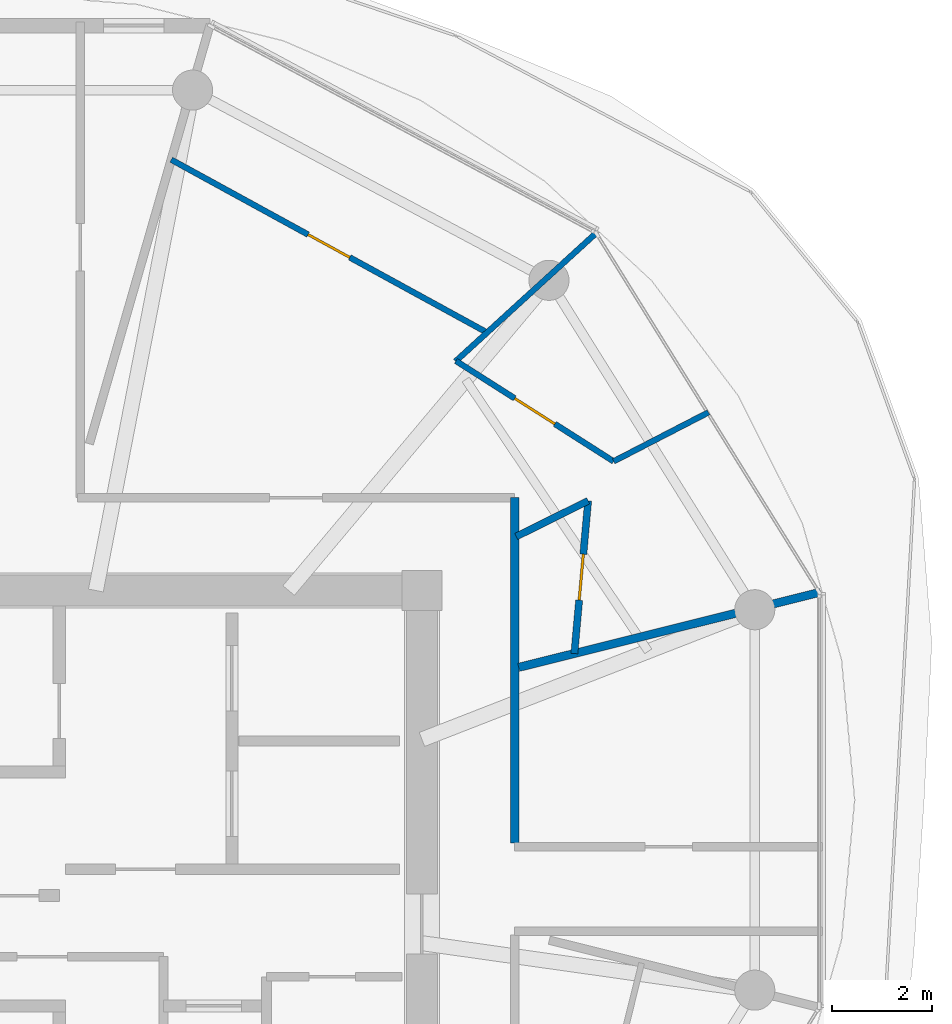
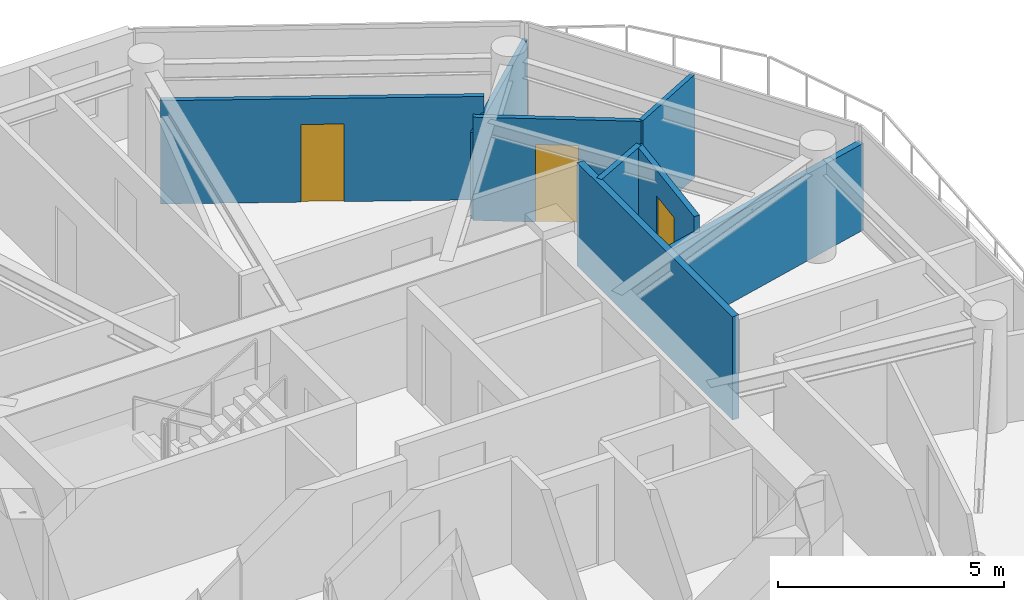
# One storey, part 17 of 22: 8 walls, 3 doors, 3 openings.
"""IFC4 building model written with IfcOpenShell, lengths in metres."""

from ifc_helpers import new_model, si_unit, direction, frame, frame_2d, origin, place, context, subcontext, project, spatial, rectangle, extrude, source, transform, mapped, material, layer, layer_set, type_object, type_shapes, element, fill, save


model = new_model("IFC4")

# Units and contexts
model_context = context("Model", 3, precision=1e-05, world=origin(), true_north=direction((0.0, 1.0)))
body_context = subcontext(model_context, "Body", "Model", "MODEL_VIEW")
ifc_project = project(units=[si_unit("LENGTHUNIT", "METRE"), si_unit("AREAUNIT", "SQUARE_METRE"), si_unit("VOLUMEUNIT", "CUBIC_METRE"), si_unit("PLANEANGLEUNIT", "RADIAN"), si_unit("MASSUNIT", "GRAM", prefix="KILO")], contexts=[model_context])

# Site, building, storey
site_placement = place(None, origin())
site = spatial("IfcSite", under=ifc_project, at=site_placement, CompositionType="ELEMENT")
building_placement = place(site_placement, origin())
building = spatial("IfcBuilding", under=site, at=building_placement, Name="Norrkilde Senior Care Towers", CompositionType="ELEMENT")
storey_placement = place(building_placement, frame((0.0, 0.0, 170.89990234375)))
storey = spatial("IfcBuildingStorey", under=building, at=storey_placement, Name="L53", CompositionType="ELEMENT", Elevation=170.89990234375)

# Wall, opening, door
ifc_material_1 = material(Name="Gypsum Acoustic Board")
ifc_layer_1 = layer(ifc_material_1, 0.114990234375)
ifc_layer_set_1 = layer_set([ifc_layer_1], Name="Gypsum Acoustic Board")
wall_type_1 = type_object("IfcWallType", Name="Internal Room Partition 115", PredefinedType="PARTITIONING", material=ifc_layer_set_1)
shared_shape_1 = source(origin(), body_context, "Body", "SweptSolid", [
    extrude(rectangle(XDim=7.166748046875, YDim=0.114990234375, at=frame_2d((3.58349609375, 0.0))), origin(), (0.0, 0.0, 1.0), 2.795166015625),
])
wall_1_placement = place(storey_placement, frame((36.93896484375, 11.097900390625, 0.0), z_axis=(0.0, 0.0, 1.0), x_axis=(-0.8771628907, 0.480192943699, 0.0)))
wall_1 = element("IfcWall", 1, at=wall_1_placement, inside=storey, type_object=wall_type_1, Name="WL-INT-L53-E-UBC-00-1", PredefinedType="PARTITIONING", context=body_context, shape_type="MappedRepresentation", body=[
    mapped(shared_shape_1, transform((0.0, 0.0, 0.0), x_axis=(1.0, 0.0, 0.0), y_axis=(0.0, 1.0, 0.0), z_axis=(0.0, 0.0, 1.0), scale=1.0)),
])
opening_1_placement = place(wall_1_placement, frame((3.1083984375, 0.0, 0.0)))
opening_1 = element("IfcOpeningElement", 2, at=opening_1_placement, cuts=wall_1, Name="Opening D-07", PredefinedType="OPENING", context=body_context, shape_type="SweptSolid", body=[
    extrude(rectangle(XDim=0.949951171875, YDim=2.10009765625, at=frame_2d((0.47509765625, 1.050048828125))), frame((0.0, 0.0673828125, 0.0), z_axis=(0.0, -1.0, 0.0), x_axis=(1.0, 0.0, 0.0)), (0.0, 0.0, 1.0), 0.135009765625),
])
ifc_material_2 = material(Name="Nordic Ash Timber", Category="wood")
door_type_1 = type_object("IfcDoorType", Name="Internal Suite Bedroom Door 950x2100", OperationType="NOTDEFINED", PredefinedType="DOOR", material=ifc_material_2)
shared_shape_2 = source(origin(), body_context, "Body", "SweptSolid", [
    extrude(rectangle(XDim=0.949951171875, YDim=2.10009765625, at=frame_2d((0.47509765625, 1.050048828125))), frame((0.0, 0.02490234375, 0.0), z_axis=(0.0, -1.0, 0.0), x_axis=(1.0, 0.0, 0.0)), (0.0, 0.0, 1.0), 0.050048828125),
])
type_shapes(door_type_1, [shared_shape_2])
door_1_placement = place(opening_1_placement, origin())
door_1 = element("IfcDoor", 3, at=door_1_placement, inside=storey, type_object=door_type_1, Name="Apartment 53A Bedroom 1 Door", OperationType="SINGLE_SWING_RIGHT", OverallHeight=2.10009765625, OverallWidth=0.949951171875, PredefinedType="DOOR", context=body_context, shape_type="MappedRepresentation", body=[
    mapped(shared_shape_2, transform((0.0, 0.0, 0.0), x_axis=(1.0, 0.0, 0.0), y_axis=(0.0, 1.0, 0.0), z_axis=(0.0, 0.0, 1.0), scale=1.0)),
])
fill(opening_1, door_1)

# Walls
ifc_layer_2 = layer(ifc_material_1, 0.1650390625)
ifc_layer_set_2 = layer_set([ifc_layer_2], Name="Gypsum Acoustic Board")
wall_type_2 = type_object("IfcWallType", Name="Corridor Rated Partition 165", PredefinedType="PARTITIONING", material=ifc_layer_set_2)
shared_shape_3 = source(origin(), body_context, "Body", "SweptSolid", [
    extrude(rectangle(XDim=6.880126953125, YDim=0.1650390625, at=frame_2d((3.43994140625, 0.0))), origin(), (0.0, 0.0, 1.0), 2.795166015625),
])
wall_2_placement = place(storey_placement, frame((37.5, 7.800048828125, 0.0), z_axis=(0.0, 0.0, 1.0), x_axis=(0.0, -1.0, 0.0)))
element("IfcWall", 4, at=wall_2_placement, inside=storey, type_object=wall_type_2, Name="WL-INT-L53-E-CRW-E-0", PredefinedType="PARTITIONING", context=body_context, shape_type="MappedRepresentation", body=[
    mapped(shared_shape_3, transform((0.0, 0.0, 0.0), x_axis=(1.0, 0.0, 0.0), y_axis=(0.0, 1.0, 0.0), z_axis=(0.0, 0.0, 1.0), scale=1.0)),
])
shared_shape_4 = source(origin(), body_context, "Body", "SweptSolid", [
    extrude(rectangle(XDim=6.192626953125, YDim=0.1650390625, at=frame_2d((3.09619140625, 0.0))), origin(), (0.0, 0.0, 1.0), 2.34521484375),
])
type_shapes(wall_type_2, [shared_shape_3, shared_shape_4])
wall_3_placement = place(storey_placement, frame((37.580078125, 4.418701171875, 0.0), z_axis=(0.0, 0.0, 1.0), x_axis=(0.970309243466, 0.241867674657, 0.0)))
element("IfcWall", 5, at=wall_3_placement, inside=storey, type_object=wall_type_2, Name="WL-INT-L53-E-DEM-00-0", PredefinedType="PARTITIONING", context=body_context, shape_type="MappedRepresentation", body=[
    mapped(shared_shape_4, transform((0.0, 0.0, 0.0), x_axis=(1.0, 0.0, 0.0), y_axis=(0.0, 1.0, 0.0), z_axis=(0.0, 0.0, 1.0), scale=1.0)),
])
shared_shape_5 = source(origin(), body_context, "Body", "SweptSolid", [
    extrude(rectangle(XDim=3.814453125, YDim=0.114990234375, at=frame_2d((1.9072265625, 0.0))), origin(), (0.0, 0.0, 1.0), 2.34521484375),
])
wall_4_placement = place(storey_placement, frame((36.3193359375, 10.51806640625, 0.0), z_axis=(0.0, 0.0, 1.0), x_axis=(0.73871962024, 0.674012850524, 0.0)))
element("IfcWall", 6, at=wall_4_placement, inside=storey, type_object=wall_type_1, Name="WL-INT-L53-E-UBR-00-1", PredefinedType="PARTITIONING", context=body_context, shape_type="MappedRepresentation", body=[
    mapped(shared_shape_5, transform((0.0, 0.0, 0.0), x_axis=(1.0, 0.0, 0.0), y_axis=(0.0, 1.0, 0.0), z_axis=(0.0, 0.0, 1.0), scale=1.0)),
])
ifc_layer_3 = layer(ifc_material_1, 0.139892578125)
ifc_layer_set_3 = layer_set([ifc_layer_3], Name="Gypsum Acoustic Board")
wall_type_3 = type_object("IfcWallType", Name="En-suite Wet Room Wall 140", PredefinedType="PARTITIONING", material=ifc_layer_set_3)
shared_shape_6 = source(origin(), body_context, "Body", "SweptSolid", [
    extrude(rectangle(XDim=1.601318359375, YDim=0.139892578125, at=frame_2d((0.80078125, 0.0))), origin(), (0.0, 0.0, 1.0), 2.795166015625),
])
wall_5_placement = place(storey_placement, frame((37.530029296875, 7.026123046875, 0.0), z_axis=(0.0, 0.0, 1.0), x_axis=(0.895279369592, 0.445505163138, 0.0)))
element("IfcWall", 7, at=wall_5_placement, inside=storey, type_object=wall_type_3, Name="WL-INT-L53-E-UBTS-00", PredefinedType="PARTITIONING", context=body_context, shape_type="MappedRepresentation", body=[
    mapped(shared_shape_6, transform((0.0, 0.0, 0.0), x_axis=(1.0, 0.0, 0.0), y_axis=(0.0, 1.0, 0.0), z_axis=(0.0, 0.0, 1.0), scale=1.0)),
])

# Wall, opening, door
shared_shape_7 = source(origin(), body_context, "Body", "SweptSolid", [
    extrude(rectangle(XDim=3.057861328125, YDim=0.139892578125, at=frame_2d((1.52880859375, 0.0))), origin(), (0.0, 0.0, 1.0), 2.795166015625),
])
type_shapes(wall_type_3, [shared_shape_6, shared_shape_7])
wall_6_placement = place(storey_placement, frame((38.963623046875, 7.739501953125, 0.0), z_axis=(0.0, 0.0, 1.0), x_axis=(-0.090060616512, -0.99593628579, 0.0)))
wall_6 = element("IfcWall", 8, at=wall_6_placement, inside=storey, type_object=wall_type_3, Name="WL-INT-L53-E-UBTF-00", PredefinedType="PARTITIONING", context=body_context, shape_type="MappedRepresentation", body=[
    mapped(shared_shape_7, transform((0.0, 0.0, 0.0), x_axis=(1.0, 0.0, 0.0), y_axis=(0.0, 1.0, 0.0), z_axis=(0.0, 0.0, 1.0), scale=1.0)),
])
opening_2_placement = place(wall_6_placement, frame((1.06884765625, 0.0, 0.0)))
opening_2 = element("IfcOpeningElement", 9, at=opening_2_placement, cuts=wall_6, Name="Opening D-08", PredefinedType="OPENING", context=body_context, shape_type="SweptSolid", body=[
    extrude(rectangle(XDim=0.919921875, YDim=2.10009765625, at=frame_2d((0.4599609375, 1.050048828125))), frame((0.0, 0.079833984375, 0.0), z_axis=(0.0, -1.0, 0.0), x_axis=(1.0, 0.0, 0.0)), (0.0, 0.0, 1.0), 0.159912109375),
])
door_type_2 = type_object("IfcDoorType", Name="Accessible Wet Room Door 920x2100", OperationType="NOTDEFINED", PredefinedType="DOOR", material=ifc_material_2)
shared_shape_8 = source(origin(), body_context, "Body", "SweptSolid", [
    extrude(rectangle(XDim=0.919921875, YDim=2.10009765625, at=frame_2d((0.4599609375, 1.050048828125))), frame((0.0, 0.02490234375, 0.0), z_axis=(0.0, -1.0, 0.0), x_axis=(1.0, 0.0, 0.0)), (0.0, 0.0, 1.0), 0.050048828125),
])
type_shapes(door_type_2, [shared_shape_8])
door_2_placement = place(opening_2_placement, origin())
door_2 = element("IfcDoor", 10, at=door_2_placement, inside=storey, type_object=door_type_2, Name="Apartment 53A Bathroom Door", OperationType="SINGLE_SWING_RIGHT", OverallHeight=2.10009765625, OverallWidth=0.919921875, PredefinedType="DOOR", context=body_context, shape_type="MappedRepresentation", body=[
    mapped(shared_shape_8, transform((0.0, 0.0, 0.0), x_axis=(1.0, 0.0, 0.0), y_axis=(0.0, 1.0, 0.0), z_axis=(0.0, 0.0, 1.0), scale=1.0)),
])
fill(opening_2, door_2)

# Wall
shared_shape_9 = source(origin(), body_context, "Body", "SweptSolid", [
    extrude(rectangle(XDim=2.1298828125, YDim=0.114990234375, at=frame_2d((1.06494140625, 0.0))), origin(), (0.0, 0.0, 1.0), 2.795166015625),
])
wall_7_placement = place(storey_placement, frame((39.470703125, 8.525390625, 0.0), z_axis=(0.0, 0.0, 1.0), x_axis=(0.888504584778, 0.458867740016, 0.0)))
element("IfcWall", 11, at=wall_7_placement, inside=storey, type_object=wall_type_1, Name="WL-INT-L53-E-UKTS-00", PredefinedType="PARTITIONING", context=body_context, shape_type="MappedRepresentation", body=[
    mapped(shared_shape_9, transform((0.0, 0.0, 0.0), x_axis=(1.0, 0.0, 0.0), y_axis=(0.0, 1.0, 0.0), z_axis=(0.0, 0.0, 1.0), scale=1.0)),
])

# Wall, opening, door
shared_shape_10 = source(origin(), body_context, "Body", "SweptSolid", [
    extrude(rectangle(XDim=3.725341796875, YDim=0.114990234375, at=frame_2d((1.86279296875, 0.0))), origin(), (0.0, 0.0, 1.0), 2.795166015625),
])
type_shapes(wall_type_1, [shared_shape_1, shared_shape_5, shared_shape_9, shared_shape_10])
wall_8_placement = place(storey_placement, frame((39.470703125, 8.525390625, 0.0), z_axis=(0.0, 0.0, 1.0), x_axis=(-0.843453635564, 0.537201977523, 0.0)))
wall_8 = element("IfcWall", 12, at=wall_8_placement, inside=storey, type_object=wall_type_1, Name="WL-INT-L53-E-UKTF-00", PredefinedType="PARTITIONING", context=body_context, shape_type="MappedRepresentation", body=[
    mapped(shared_shape_10, transform((0.0, 0.0, 0.0), x_axis=(1.0, 0.0, 0.0), y_axis=(0.0, 1.0, 0.0), z_axis=(0.0, 0.0, 1.0), scale=1.0)),
])
opening_3_placement = place(wall_8_placement, frame((1.3876953125, 0.0, 0.0)))
opening_3 = element("IfcOpeningElement", 13, at=opening_3_placement, cuts=wall_8, Name="Opening D-07", PredefinedType="OPENING", context=body_context, shape_type="SweptSolid", body=[
    extrude(rectangle(XDim=0.949951171875, YDim=2.10009765625, at=frame_2d((0.47509765625, 1.050048828125))), frame((0.0, 0.0673828125, 0.0), z_axis=(0.0, -1.0, 0.0), x_axis=(1.0, 0.0, 0.0)), (0.0, 0.0, 1.0), 0.135009765625),
])
door_3_placement = place(opening_3_placement, frame((0.949951171875, 0.0, 0.0), z_axis=(0.0, 0.0, 1.0), x_axis=(-1.0, 0.0, 0.0)))
door_3 = element("IfcDoor", 14, at=door_3_placement, inside=storey, type_object=door_type_1, Name="Apartment 53A Kitchen Door", OperationType="SINGLE_SWING_LEFT", OverallHeight=2.10009765625, OverallWidth=0.949951171875, PredefinedType="DOOR", context=body_context, shape_type="MappedRepresentation", body=[
    mapped(shared_shape_2, transform((0.0, 0.0, 0.0), x_axis=(1.0, 0.0, 0.0), y_axis=(0.0, 1.0, 0.0), z_axis=(0.0, 0.0, 1.0), scale=1.0)),
])
fill(opening_3, door_3)

save(model, "model.ifc")
